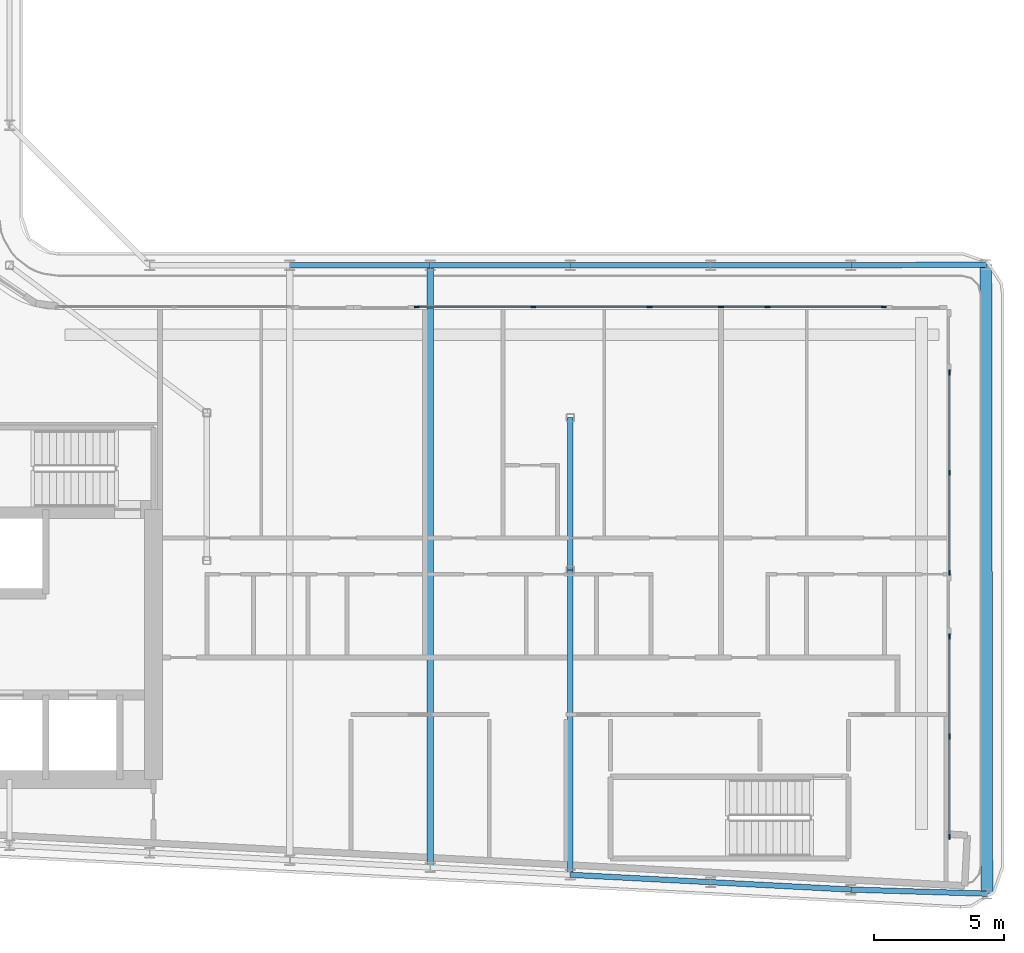
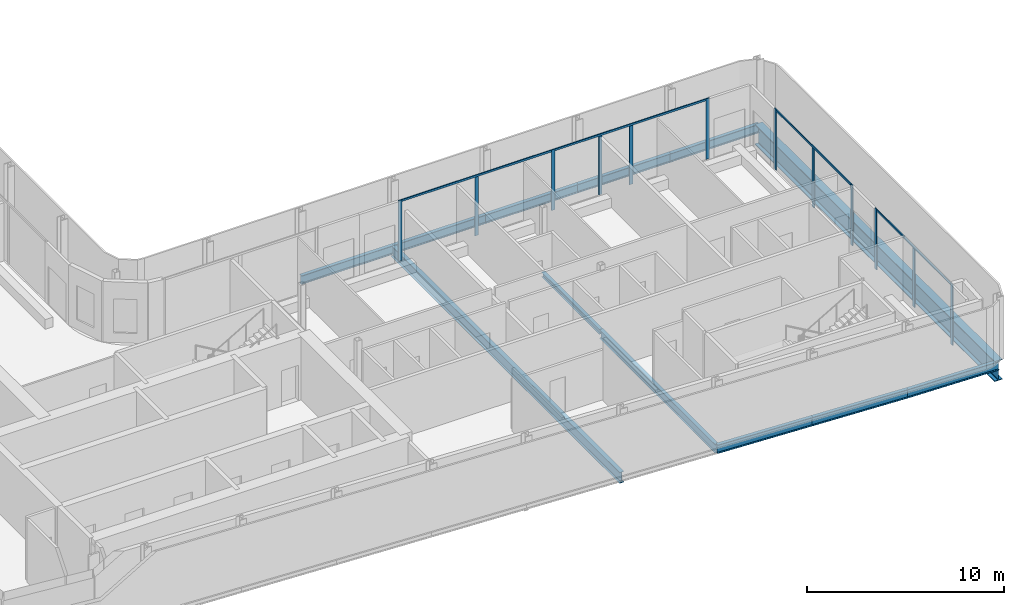
# One storey, part 5 of 23: 16 members, 12 beams, 4 elements without a shape of their own.
"""IFC4 building model written with IfcOpenShell, lengths in metres."""

from ifc_helpers import new_model, si_unit, direction, frame, origin, origin_2d, place, context, subcontext, project, spatial, rectangle, i_section, extrude, material, layer, layer_set, material_profile, profile_set, type_object, element, aggregate, save


model = new_model("IFC4")

# Units and contexts
model_context = context("Model", 3, precision=1e-05, world=origin(), true_north=direction((0.0, 1.0)))
body_context = subcontext(model_context, "Body", "Model", "MODEL_VIEW")
ifc_project = project(units=[si_unit("LENGTHUNIT", "METRE"), si_unit("AREAUNIT", "SQUARE_METRE"), si_unit("VOLUMEUNIT", "CUBIC_METRE"), si_unit("PLANEANGLEUNIT", "RADIAN"), si_unit("MASSUNIT", "GRAM", prefix="KILO")], contexts=[model_context])

# Site, building, storey
site_placement = place(None, origin())
site = spatial("IfcSite", under=ifc_project, at=site_placement, CompositionType="ELEMENT")
building_placement = place(site_placement, origin())
building = spatial("IfcBuilding", under=site, at=building_placement, Name="Kheshtan School and Residences Tower", CompositionType="ELEMENT")
storey_placement = place(building_placement, frame((0.0, 0.0, 247.39990234375)))
storey = spatial("IfcBuildingStorey", under=building, at=storey_placement, Name="L58", CompositionType="ELEMENT", Elevation=247.39990234375)

# Beams
ifc_material_1 = material(Name="Steel ASTM A992 Grade 50", Category="steel")
ifc_material_profile_1 = material_profile(ifc_material_1, i_section(OverallWidth=0.202880859375, OverallDepth=0.302978515625, WebThickness=0.007568359375, FlangeThickness=0.01318359375, FilletRadius=0.009033203125, at=origin_2d()), Name="W310x60")
ifc_profile_set_1 = profile_set([ifc_material_profile_1], Name="Steel ASTM A992 Grade 50")
beam_type_1 = type_object("IfcBeamType", Name="Beam FB1 W310x60 ASTM A992 Grade 50", PredefinedType="BEAM", material=ifc_profile_set_1)
beam_1_placement = place(storey_placement, frame((69.199951171875, 33.863037109375, -0.301513671875), z_axis=(0.0, 1.0, 0.0), x_axis=(-1.0, 0.0, 0.0)))
element("IfcBeam", 1, at=beam_1_placement, inside=storey, type_object=beam_type_1, Name="Floor beam IC", PredefinedType="BEAM", context=body_context, shape_type="SweptSolid", body=[
    extrude(i_section(OverallWidth=0.202880859375, OverallDepth=0.302978515625, WebThickness=0.007568359375, FlangeThickness=0.01318359375, FilletRadius=0.009033203125, at=origin_2d()), origin(), (0.0, 0.0, 1.0), 5.868896484375),
])
ifc_material_profile_2 = material_profile(ifc_material_1, i_section(OverallWidth=0.208984375, OverallDepth=0.532958984375, WebThickness=0.01025390625, FlangeThickness=0.015625, FilletRadius=0.013916015625, at=origin_2d()), Name="W530x92")
ifc_profile_set_2 = profile_set([ifc_material_profile_2], Name="Steel ASTM A992 Grade 50")
beam_type_2 = type_object("IfcBeamType", Name="Beam FB4 W530x92 ASTM A992 Grade 50", PredefinedType="BEAM", material=ifc_profile_set_2)
beam_2_placement = place(storey_placement, frame((69.199951171875, 22.126953125, -0.41650390625), z_axis=(0.0, 1.0, 0.0), x_axis=(-1.0, 0.0, 0.0)))
element("IfcBeam", 2, at=beam_2_placement, inside=storey, type_object=beam_type_2, Name="Floor beam C014", PredefinedType="BEAM", context=body_context, shape_type="SweptSolid", body=[
    extrude(i_section(OverallWidth=0.208984375, OverallDepth=0.532958984375, WebThickness=0.01025390625, FlangeThickness=0.015625, FilletRadius=0.013916015625, at=origin_2d()), origin(), (0.0, 0.0, 1.0), 11.736083984375),
])
ifc_material_profile_3 = material_profile(ifc_material_1, i_section(OverallWidth=0.2529296875, OverallDepth=0.677978515625, WebThickness=0.01171875, FlangeThickness=0.016357421875, FilletRadius=0.0146484375, at=origin_2d()), Name="W690x125")
ifc_profile_set_3 = profile_set([ifc_material_profile_3], Name="Steel ASTM A992 Grade 50")
beam_type_3 = type_object("IfcBeamType", Name="Beam FB6 W690x125 ASTM A992 Grade 50", PredefinedType="BEAM", material=ifc_profile_set_3)
beam_3_placement = place(storey_placement, frame((63.800048828125, 45.60009765625, -0.489013671875), z_axis=(0.0, -1.0, 0.0), x_axis=(1.0, 0.0, 0.0)))
element("IfcBeam", 3, at=beam_3_placement, inside=storey, type_object=beam_type_3, Name="Floor beam C063", PredefinedType="BEAM", context=body_context, shape_type="SweptSolid", body=[
    extrude(i_section(OverallWidth=0.2529296875, OverallDepth=0.677978515625, WebThickness=0.01171875, FlangeThickness=0.016357421875, FilletRadius=0.0146484375, at=origin_2d()), origin(), (0.0, 0.0, 1.0), 23.189208984375),
])
ifc_material_profile_4 = material_profile(ifc_material_1, i_section(OverallWidth=0.208984375, OverallDepth=0.532958984375, WebThickness=0.01025390625, FlangeThickness=0.015625, FilletRadius=0.013916015625, at=origin_2d()), Name="W530x92")
ifc_profile_set_4 = profile_set([ifc_material_profile_4], Name="Steel ASTM A992 Grade 50")
beam_type_4 = type_object("IfcBeamType", Name="Beam SP3 W530x92 ASTM A992 Grade 50", PredefinedType="BEAM", material=ifc_profile_set_4)
beam_4_placement = place(storey_placement, frame((58.39990234375, 45.60009765625, -0.41650390625), z_axis=(1.0, 0.0, 0.0), x_axis=(0.0, 1.0, 0.0)))
element("IfcBeam", 4, at=beam_4_placement, inside=storey, type_object=beam_type_4, Name="Spandrel beam C062-C063", PredefinedType="BEAM", context=body_context, shape_type="SweptSolid", body=[
    extrude(i_section(OverallWidth=0.208984375, OverallDepth=0.532958984375, WebThickness=0.01025390625, FlangeThickness=0.015625, FilletRadius=0.013916015625, at=origin_2d()), origin(), (0.0, 0.0, 1.0), 5.400146484375),
])
beam_5_placement = place(storey_placement, frame((63.800048828125, 45.60009765625, -0.41650390625), z_axis=(1.0, 0.0, 0.0), x_axis=(0.0, 1.0, 0.0)))
element("IfcBeam", 5, at=beam_5_placement, inside=storey, type_object=beam_type_4, Name="Spandrel beam C063-C064", PredefinedType="BEAM", context=body_context, shape_type="SweptSolid", body=[
    extrude(i_section(OverallWidth=0.208984375, OverallDepth=0.532958984375, WebThickness=0.01025390625, FlangeThickness=0.015625, FilletRadius=0.013916015625, at=origin_2d()), origin(), (0.0, 0.0, 1.0), 5.39990234375),
])
beam_6_placement = place(storey_placement, frame((69.199951171875, 45.60009765625, -0.41650390625), z_axis=(1.0, 0.0, 0.0), x_axis=(0.0, 1.0, 0.0)))
element("IfcBeam", 6, at=beam_6_placement, inside=storey, type_object=beam_type_4, Name="Spandrel beam C064-C065", PredefinedType="BEAM", context=body_context, shape_type="SweptSolid", body=[
    extrude(i_section(OverallWidth=0.208984375, OverallDepth=0.532958984375, WebThickness=0.01025390625, FlangeThickness=0.015625, FilletRadius=0.013916015625, at=origin_2d()), origin(), (0.0, 0.0, 1.0), 5.400146484375),
])
beam_7_placement = place(storey_placement, frame((74.60009765625, 45.60009765625, -0.41650390625), z_axis=(1.0, 0.0, 0.0), x_axis=(0.0, 1.0, 0.0)))
element("IfcBeam", 7, at=beam_7_placement, inside=storey, type_object=beam_type_4, Name="Spandrel beam C065-C066", PredefinedType="BEAM", context=body_context, shape_type="SweptSolid", body=[
    extrude(i_section(OverallWidth=0.208984375, OverallDepth=0.532958984375, WebThickness=0.01025390625, FlangeThickness=0.015625, FilletRadius=0.013916015625, at=origin_2d()), origin(), (0.0, 0.0, 1.0), 5.39990234375),
])
beam_8_placement = place(storey_placement, frame((80.0, 45.60009765625, -0.41650390625), z_axis=(0.999985687161, 0.005350277765, 0.0), x_axis=(-0.005350277765, 0.999985687161, 0.0)))
element("IfcBeam", 8, at=beam_8_placement, inside=storey, type_object=beam_type_4, Name="Spandrel beam C066-C076", PredefinedType="BEAM", context=body_context, shape_type="SweptSolid", body=[
    extrude(i_section(OverallWidth=0.208984375, OverallDepth=0.532958984375, WebThickness=0.01025390625, FlangeThickness=0.015625, FilletRadius=0.013916015625, at=origin_2d()), origin(), (0.0, 0.0, 1.0), 5.201904296875),
])
beam_9_placement = place(storey_placement, frame((85.243896484375, 21.39990234375, -0.41650390625), z_axis=(-0.999545226068, 0.030155282206, 0.0), x_axis=(-0.030155282206, -0.999545226068, 0.0)))
element("IfcBeam", 9, at=beam_9_placement, inside=storey, type_object=beam_type_4, Name="Spandrel beam C011-C012", PredefinedType="BEAM", context=body_context, shape_type="SweptSolid", body=[
    extrude(i_section(OverallWidth=0.208984375, OverallDepth=0.532958984375, WebThickness=0.01025390625, FlangeThickness=0.015625, FilletRadius=0.013916015625, at=origin_2d()), origin(), (0.0, 0.0, 1.0), 5.246337890625),
])
beam_10_placement = place(storey_placement, frame((80.0, 21.55810546875, -0.41650390625), z_axis=(-0.998610961136, 0.052689166816, 0.0), x_axis=(-0.052689166816, -0.998610961136, 0.0)))
element("IfcBeam", 10, at=beam_10_placement, inside=storey, type_object=beam_type_4, Name="Spandrel beam C012-C013", PredefinedType="BEAM", context=body_context, shape_type="SweptSolid", body=[
    extrude(i_section(OverallWidth=0.208984375, OverallDepth=0.532958984375, WebThickness=0.01025390625, FlangeThickness=0.015625, FilletRadius=0.013916015625, at=origin_2d()), origin(), (0.0, 0.0, 1.0), 5.407470703125),
])
beam_11_placement = place(storey_placement, frame((74.60009765625, 21.843017578125, -0.41650390625), z_axis=(-0.998620571751, 0.05250670125, 0.0), x_axis=(-0.05250670125, -0.998620571751, 0.0)))
element("IfcBeam", 11, at=beam_11_placement, inside=storey, type_object=beam_type_4, Name="Spandrel beam C013-C014", PredefinedType="BEAM", context=body_context, shape_type="SweptSolid", body=[
    extrude(i_section(OverallWidth=0.208984375, OverallDepth=0.532958984375, WebThickness=0.01025390625, FlangeThickness=0.015625, FilletRadius=0.013916015625, at=origin_2d()), origin(), (0.0, 0.0, 1.0), 5.40771484375),
])

# Curtain wall, members
ifc_material_2 = material(Name="Clear low-e glass in thermally broken aluminium frame", Category="aluminium")
ifc_layer = layer(ifc_material_2, 0.199951171875)
ifc_layer_set = layer_set([ifc_layer], Name="Curtain wall CW-L")
curtain_wall_type = type_object("IfcCurtainWallType", Name="Curtain wall CW-L", PredefinedType="NOTDEFINED", material=ifc_layer_set)
curtain_wall_1_placement = place(storey_placement, origin())
curtain_wall_1 = element("IfcCurtainWall", 12, at=curtain_wall_1_placement, inside=storey, type_object=curtain_wall_type, Name="Curtain wall CWL1231", PredefinedType="NOTDEFINED")
ifc_material_3 = material(Name="Thermally broken aluminium, dark bronze anodised", Category="aluminium")
ifc_material_profile_5 = material_profile(ifc_material_3, rectangle(XDim=0.06005859375, YDim=0.199951171875, at=origin_2d()), Name="CW-L mullion 60x200")
ifc_profile_set_5 = profile_set([ifc_material_profile_5], Name="Thermally broken aluminium, dark bronze anodised")
member_type_1 = type_object("IfcMemberType", Name="CW-L mullion 60x200", PredefinedType="MULLION", material=ifc_profile_set_5)
member_1_placement = place(storey_placement, frame((63.283447265625, 44.0, 0.0), z_axis=(0.0, 0.0, 1.0), x_axis=(0.0, 1.0, 0.0)))
member_1 = element("IfcMember", 13, at=member_1_placement, type_object=member_type_1, Name="CWL1231 mullion 1", PredefinedType="MULLION", context=body_context, shape_type="SweptSolid", body=[
    extrude(rectangle(XDim=0.06005859375, YDim=0.199951171875, at=origin_2d()), origin(), (0.0, 0.0, 1.0), 3.75),
])
member_2_placement = place(storey_placement, frame((67.764892578125, 44.0, 0.0), z_axis=(0.0, 0.0, 1.0), x_axis=(0.0, 1.0, 0.0)))
member_2 = element("IfcMember", 14, at=member_2_placement, type_object=member_type_1, Name="CWL1231 mullion 2", PredefinedType="MULLION", context=body_context, shape_type="SweptSolid", body=[
    extrude(rectangle(XDim=0.06005859375, YDim=0.199951171875, at=origin_2d()), origin(), (0.0, 0.0, 1.0), 3.630126953125),
])
member_3_placement = place(storey_placement, frame((72.24658203125, 44.0, 0.0), z_axis=(0.0, 0.0, 1.0), x_axis=(0.0, 1.0, 0.0)))
member_3 = element("IfcMember", 15, at=member_3_placement, type_object=member_type_1, Name="CWL1231 mullion 3", PredefinedType="MULLION", context=body_context, shape_type="SweptSolid", body=[
    extrude(rectangle(XDim=0.06005859375, YDim=0.199951171875, at=origin_2d()), origin(), (0.0, 0.0, 1.0), 3.75),
])

curtain_wall_2_placement = place(storey_placement, origin())
curtain_wall_2 = element("IfcCurtainWall", 16, at=curtain_wall_2_placement, inside=storey, type_object=curtain_wall_type, Name="Curtain wall CWL1228", PredefinedType="NOTDEFINED")
member_4_placement = place(storey_placement, frame((75.0, 44.0, 0.0), z_axis=(0.0, 0.0, 1.0), x_axis=(0.0, 1.0, 0.0)))
member_4 = element("IfcMember", 17, at=member_4_placement, type_object=member_type_1, Name="CWL1228 mullion 2", PredefinedType="MULLION", context=body_context, shape_type="SweptSolid", body=[
    extrude(rectangle(XDim=0.06005859375, YDim=0.199951171875, at=origin_2d()), origin(), (0.0, 0.0, 1.0), 3.630126953125),
])
member_5_placement = place(storey_placement, frame((76.788330078125, 44.0, 0.0), z_axis=(0.0, 0.0, 1.0), x_axis=(0.0, 1.0, 0.0)))
member_5 = element("IfcMember", 18, at=member_5_placement, type_object=member_type_1, Name="CWL1228 mullion 3", PredefinedType="MULLION", context=body_context, shape_type="SweptSolid", body=[
    extrude(rectangle(XDim=0.06005859375, YDim=0.199951171875, at=origin_2d()), origin(), (0.0, 0.0, 1.0), 3.630126953125),
])
member_6_placement = place(storey_placement, frame((81.27001953125, 44.0, 0.0), z_axis=(0.0, 0.0, 1.0), x_axis=(0.0, 1.0, 0.0)))
member_6 = element("IfcMember", 19, at=member_6_placement, type_object=member_type_1, Name="CWL1228 mullion 4", PredefinedType="MULLION", context=body_context, shape_type="SweptSolid", body=[
    extrude(rectangle(XDim=0.06005859375, YDim=0.199951171875, at=origin_2d()), origin(), (0.0, 0.0, 1.0), 3.75),
])

curtain_wall_3_placement = place(storey_placement, origin())
curtain_wall_3 = element("IfcCurtainWall", 20, at=curtain_wall_3_placement, inside=storey, type_object=curtain_wall_type, Name="Curtain wall CWL13c", PredefinedType="NOTDEFINED")
member_7_placement = place(storey_placement, frame((83.800048828125, 41.469970703125, 0.0), z_axis=(0.0, 0.0, 1.0), x_axis=(1.0, 0.0, 0.0)))
member_7 = element("IfcMember", 21, at=member_7_placement, type_object=member_type_1, Name="CWL13c mullion 1", PredefinedType="MULLION", context=body_context, shape_type="SweptSolid", body=[
    extrude(rectangle(XDim=0.06005859375, YDim=0.199951171875, at=origin_2d()), origin(), (0.0, 0.0, 1.0), 3.75),
])
member_8_placement = place(storey_placement, frame((83.800048828125, 37.61669921875, 0.0), z_axis=(0.0, 0.0, 1.0), x_axis=(1.0, 0.0, 0.0)))
member_8 = element("IfcMember", 22, at=member_8_placement, type_object=member_type_1, Name="CWL13c mullion 2", PredefinedType="MULLION", context=body_context, shape_type="SweptSolid", body=[
    extrude(rectangle(XDim=0.06005859375, YDim=0.199951171875, at=origin_2d()), origin(), (0.0, 0.0, 1.0), 3.630126953125),
])
member_9_placement = place(storey_placement, frame((83.800048828125, 33.763427734375, 0.0), z_axis=(0.0, 0.0, 1.0), x_axis=(1.0, 0.0, 0.0)))
member_9 = element("IfcMember", 23, at=member_9_placement, type_object=member_type_1, Name="CWL13c mullion 3", PredefinedType="MULLION", context=body_context, shape_type="SweptSolid", body=[
    extrude(rectangle(XDim=0.06005859375, YDim=0.199951171875, at=origin_2d()), origin(), (0.0, 0.0, 1.0), 3.75),
])

curtain_wall_4_placement = place(storey_placement, origin())
curtain_wall_4 = element("IfcCurtainWall", 24, at=curtain_wall_4_placement, inside=storey, type_object=curtain_wall_type, Name="Curtain wall CWL13c", PredefinedType="NOTDEFINED")
member_10_placement = place(storey_placement, frame((83.800048828125, 31.303466796875, 0.0), z_axis=(0.0, 0.0, 1.0), x_axis=(1.0, 0.0, 0.0)))
member_10 = element("IfcMember", 25, at=member_10_placement, type_object=member_type_1, Name="CWL13c mullion 1", PredefinedType="MULLION", context=body_context, shape_type="SweptSolid", body=[
    extrude(rectangle(XDim=0.06005859375, YDim=0.199951171875, at=origin_2d()), origin(), (0.0, 0.0, 1.0), 3.75),
])
member_11_placement = place(storey_placement, frame((83.800048828125, 27.4501953125, 0.0), z_axis=(0.0, 0.0, 1.0), x_axis=(1.0, 0.0, 0.0)))
member_11 = element("IfcMember", 26, at=member_11_placement, type_object=member_type_1, Name="CWL13c mullion 2", PredefinedType="MULLION", context=body_context, shape_type="SweptSolid", body=[
    extrude(rectangle(XDim=0.06005859375, YDim=0.199951171875, at=origin_2d()), origin(), (0.0, 0.0, 1.0), 3.630126953125),
])
member_12_placement = place(storey_placement, frame((83.800048828125, 23.596923828125, 0.0), z_axis=(0.0, 0.0, 1.0), x_axis=(1.0, 0.0, 0.0)))
member_12 = element("IfcMember", 27, at=member_12_placement, type_object=member_type_1, Name="CWL13c mullion 3", PredefinedType="MULLION", context=body_context, shape_type="SweptSolid", body=[
    extrude(rectangle(XDim=0.06005859375, YDim=0.199951171875, at=origin_2d()), origin(), (0.0, 0.0, 1.0), 3.75),
])

# Member
ifc_material_profile_6 = material_profile(ifc_material_3, rectangle(XDim=0.06005859375, YDim=0.1201171875, at=origin_2d()), Name="CW-L transom 60x120")
ifc_profile_set_6 = profile_set([ifc_material_profile_6], Name="Thermally broken aluminium, dark bronze anodised")
member_type_2 = type_object("IfcMemberType", Name="CW-L transom 60x120", PredefinedType="USERDEFINED", material=ifc_profile_set_6)
member_13_placement = place(storey_placement, frame((63.313232421875, 44.0, 3.690185546875), z_axis=(1.0, 0.0, 0.0), x_axis=(0.0, 1.0, 0.0)))
member_13 = element("IfcMember", 28, at=member_13_placement, type_object=member_type_2, Name="CWL1231 transom 1", ObjectType="TRANSOM", PredefinedType="USERDEFINED", context=body_context, shape_type="SweptSolid", body=[
    extrude(rectangle(XDim=0.06005859375, YDim=0.1201171875, at=origin_2d()), origin(), (0.0, 0.0, 1.0), 8.9033203125),
])

aggregate(curtain_wall_1, [member_1, member_2, member_3, member_13])

member_14_placement = place(storey_placement, frame((72.276611328125, 44.0, 3.690185546875), z_axis=(1.0, 0.0, 0.0), x_axis=(0.0, 1.0, 0.0)))
member_14 = element("IfcMember", 29, at=member_14_placement, type_object=member_type_2, Name="CWL1228 transom 1", ObjectType="TRANSOM", PredefinedType="USERDEFINED", context=body_context, shape_type="SweptSolid", body=[
    extrude(rectangle(XDim=0.06005859375, YDim=0.1201171875, at=origin_2d()), origin(), (0.0, 0.0, 1.0), 8.96337890625),
])

aggregate(curtain_wall_2, [member_4, member_5, member_6, member_14])

member_15_placement = place(storey_placement, frame((83.800048828125, 41.43994140625, 3.690185546875), z_axis=(0.0, -1.0, 0.0), x_axis=(1.0, 0.0, 0.0)))
member_15 = element("IfcMember", 30, at=member_15_placement, type_object=member_type_2, Name="CWL13c transom 1", ObjectType="TRANSOM", PredefinedType="USERDEFINED", context=body_context, shape_type="SweptSolid", body=[
    extrude(rectangle(XDim=0.06005859375, YDim=0.1201171875, at=origin_2d()), origin(), (0.0, 0.0, 1.0), 7.646484375),
])

aggregate(curtain_wall_3, [member_7, member_8, member_9, member_15])

member_16_placement = place(storey_placement, frame((83.800048828125, 31.2734375, 3.690185546875), z_axis=(0.0, -1.0, 0.0), x_axis=(1.0, 0.0, 0.0)))
member_16 = element("IfcMember", 31, at=member_16_placement, type_object=member_type_2, Name="CWL13c transom 1", ObjectType="TRANSOM", PredefinedType="USERDEFINED", context=body_context, shape_type="SweptSolid", body=[
    extrude(rectangle(XDim=0.06005859375, YDim=0.1201171875, at=origin_2d()), origin(), (0.0, 0.0, 1.0), 7.646484375),
])

aggregate(curtain_wall_4, [member_10, member_11, member_12, member_16])

# Beam
ifc_material_profile_7 = material_profile(ifc_material_1, i_section(OverallWidth=0.449951171875, OverallDepth=1.25, WebThickness=0.02490234375, FlangeThickness=0.044921875, FilletRadius=0.03759765625, at=origin_2d()), Name="WWF1250x546")
ifc_profile_set_7 = profile_set([ifc_material_profile_7], Name="Steel ASTM A992 Grade 50")
beam_type_5 = type_object("IfcBeamType", Name="Transfer girder TG4 WWF1250x546 ASTM A992 Grade 50", PredefinedType="BEAM", material=ifc_profile_set_7)
beam_12_placement = place(storey_placement, frame((85.201904296875, 45.6279296875, -0.77490234375), z_axis=(0.001733204434, -0.999998498, 0.0), x_axis=(0.999998498, 0.001733204434, 0.0)))
element("IfcBeam", 32, at=beam_12_placement, inside=storey, type_object=beam_type_5, Name="Transfer girder C076-C011", PredefinedType="BEAM", context=body_context, shape_type="SweptSolid", body=[
    extrude(i_section(OverallWidth=0.449951171875, OverallDepth=1.25, WebThickness=0.02490234375, FlangeThickness=0.044921875, FilletRadius=0.03759765625, at=origin_2d()), origin(), (0.0, 0.0, 1.0), 24.22802734375),
])

save(model, "model.ifc")
